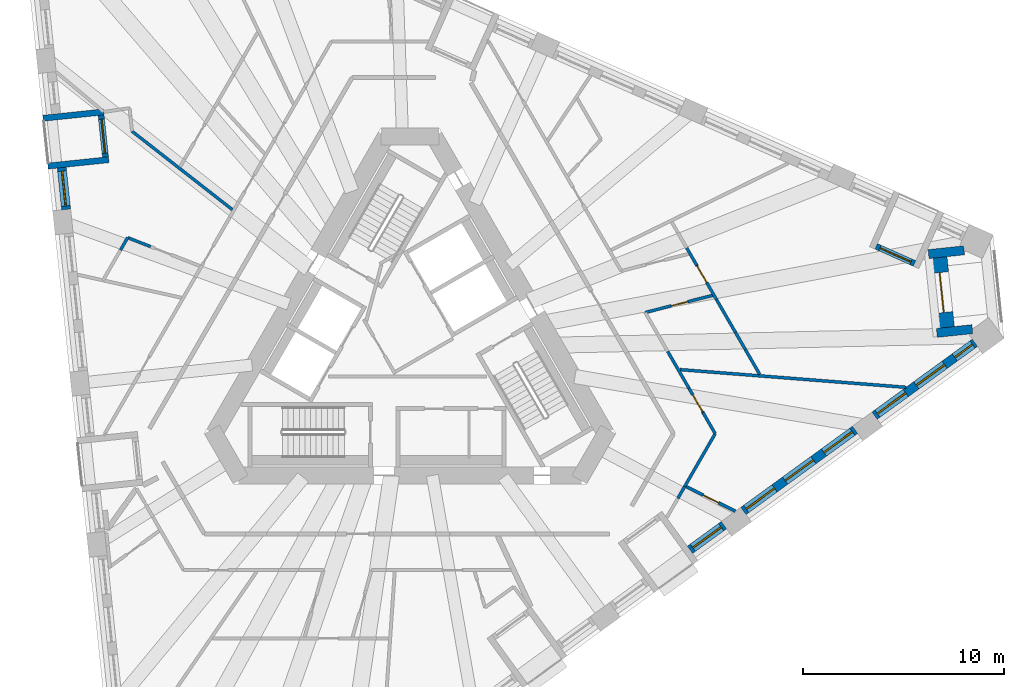
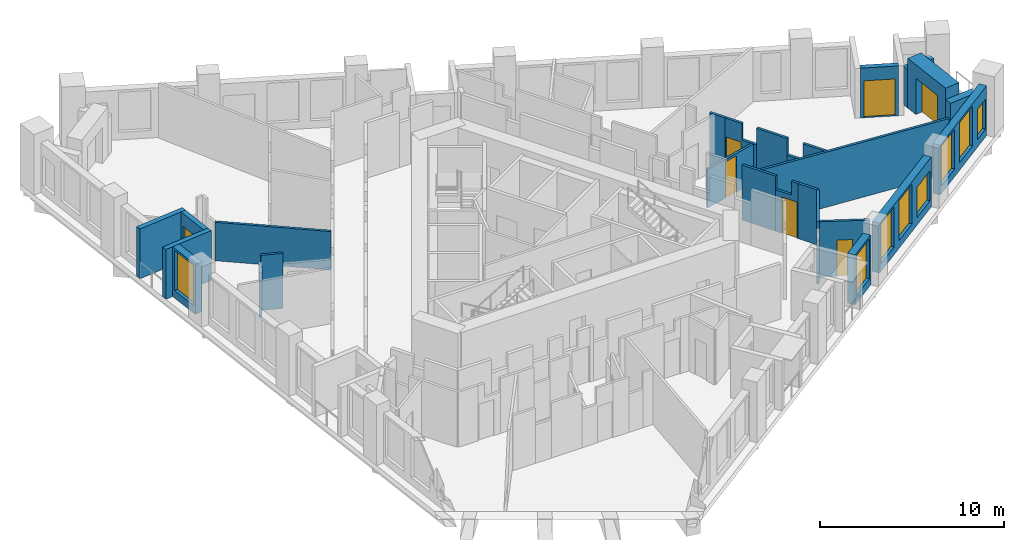
# One storey, part 6 of 14: 27 walls, 8 windows, 7 doors, 15 openings.
"""IFC4 building model written with IfcOpenShell, lengths in metres."""

import ifcopenshell
import ifcopenshell.guid

model = None  # the IFC model being written
_history = None  # IfcOwnerHistory: only IFC2X3 demands one
_inside = {}  # id of a spatial element -> (the spatial element, [elements in it])
_under = {}  # id of a project, library or spatial element -> (it, [spatial elements below it])
_declared = {}  # id of a project -> (the project, [libraries it declares])
_typed = {}  # id of a type object -> (the type object, [elements of that type])
_made_of = {}  # id of a material, layer set ... -> (it, [elements and type objects made of it])


def new_model(schema):
    """Start an empty IFC model of exactly this schema.

    Asked for "IFC4X3", IfcOpenShell would pick the latest addendum, in which some entities
    have other attributes; the version numbers below select the first issue.
    IFC2X3 requires an IfcOwnerHistory on every rooted entity: one is made here for all.
    """
    global model, _history
    if schema == "IFC4X3":
        model = ifcopenshell.file(schema_version=(4, 3, 0, 0))
    else:
        model = ifcopenshell.file(schema=schema)
    _inside.clear()
    _under.clear()
    _declared.clear()
    _typed.clear()
    _made_of.clear()
    _history = None
    if model.schema == "IFC2X3":
        org = make("IfcOrganization", Name="unknown")
        user = make(
            "IfcPersonAndOrganization",
            ThePerson=make("IfcPerson", FamilyName="unknown"),
            TheOrganization=org,
        )
        app = make(
            "IfcApplication",
            ApplicationDeveloper=org,
            Version="unknown",
            ApplicationFullName="unknown",
            ApplicationIdentifier="unknown",
        )
        _history = make(
            "IfcOwnerHistory",
            OwningUser=user,
            OwningApplication=app,
            ChangeAction="ADDED",
            CreationDate=0,
        )
    return model


def make(cls, **values):
    """One entity of the class cls with the attributes given. An attribute that is None is left unset."""
    return model.create_entity(
        cls, **{name: value for name, value in values.items() if value is not None}
    )


def rooted(cls, **values):
    """An entity with a GlobalId (a new one), such as an element, a storey or a relation."""
    return make(cls, GlobalId=ifcopenshell.guid.new(), OwnerHistory=_history, **values)


def si_unit(unit_type, name, prefix=None):
    """IfcSIUnit, for example si_unit("LENGTHUNIT", "METRE", prefix="MILLI")."""
    return make("IfcSIUnit", UnitType=unit_type, Prefix=prefix, Name=name)


def assignment(units):
    """IfcUnitAssignment: the units of a project."""
    return None if units is None else make("IfcUnitAssignment", Units=units)


def point(xyz):
    """IfcCartesianPoint."""
    return None if xyz is None else make("IfcCartesianPoint", Coordinates=xyz)


def direction(xyz):
    """IfcDirection."""
    return None if xyz is None else make("IfcDirection", DirectionRatios=xyz)


def frame(location, z_axis=None, x_axis=None):
    """IfcAxis2Placement3D, a coordinate frame: its origin and axes. An axis left out is left unset."""
    return make(
        "IfcAxis2Placement3D",
        Location=point(location),
        Axis=direction(z_axis),
        RefDirection=direction(x_axis),
    )


def frame_2d(location, x_axis=None):
    """IfcAxis2Placement2D, a coordinate frame in the plane: its origin and x axis."""
    return make(
        "IfcAxis2Placement2D", Location=point(location), RefDirection=direction(x_axis)
    )


def origin():
    """The frame at (0, 0, 0) with its axes left unset."""
    return frame((0.0, 0.0, 0.0))


def place(relative_to, where):
    """IfcLocalPlacement: puts the frame where relative to a parent placement (None: the world)."""
    return make(
        "IfcLocalPlacement", PlacementRelTo=relative_to, RelativePlacement=where
    )


def context(
    kind, dimensions, precision=None, world=None, true_north=None, identifier=None
):
    """IfcGeometricRepresentationContext, for example the 3D "Model" context."""
    return make(
        "IfcGeometricRepresentationContext",
        ContextIdentifier=identifier,
        ContextType=kind,
        CoordinateSpaceDimension=dimensions,
        Precision=precision,
        WorldCoordinateSystem=world,
        TrueNorth=true_north,
    )


def subcontext(parent, identifier, kind, view, scale=None):
    """IfcGeometricRepresentationSubContext, for example "Body" below "Model"."""
    return make(
        "IfcGeometricRepresentationSubContext",
        ContextIdentifier=identifier,
        ContextType=kind,
        ParentContext=parent,
        TargetScale=scale,
        TargetView=view,
    )


def project(units=None, contexts=None):
    """IfcProject with its units and contexts."""
    return rooted(
        "IfcProject",
        Name="project",
        RepresentationContexts=contexts,
        UnitsInContext=assignment(units),
    )


def spatial(cls, under=None, at=None, **own):
    """A site, building, storey or space (cls), placed at a placement, below another one or the project."""
    s = rooted(cls, ObjectPlacement=at, **own)
    if under is not None:
        _under.setdefault(under.id(), (under, []))[1].append(s)
    return s


def polyline(points):
    """IfcPolyline through the points."""
    return make("IfcPolyline", Points=[point(p) for p in points])


def profile(cls, at=None, kind="AREA", **sizes):
    """A parametric profile (cls). Its sizes go by their IFC names, for example OverallWidth=200.0."""
    return make(cls, ProfileType=kind, Position=at, **sizes)


def rectangle(**sizes):
    """IfcRectangleProfileDef."""
    return profile("IfcRectangleProfileDef", **sizes)


def outline(outer, holes=None, kind="AREA"):
    """IfcArbitraryClosedProfileDef: a profile drawn as a closed curve; with holes, ...WithVoids."""
    if holes is None:
        return make("IfcArbitraryClosedProfileDef", ProfileType=kind, OuterCurve=outer)
    return make(
        "IfcArbitraryProfileDefWithVoids",
        ProfileType=kind,
        OuterCurve=outer,
        InnerCurves=holes,
    )


def extrude(swept, where, along, depth):
    """IfcExtrudedAreaSolid: the profile swept, set in the frame where, extruded along a direction by depth."""
    return make(
        "IfcExtrudedAreaSolid",
        SweptArea=swept,
        Position=where,
        ExtrudedDirection=direction(along),
        Depth=depth,
    )


def shape(context_of_items, identifier, shape_type, items):
    """IfcShapeRepresentation: the items that make up one representation, for example the "Body"."""
    return make(
        "IfcShapeRepresentation",
        ContextOfItems=context_of_items,
        RepresentationIdentifier=identifier,
        RepresentationType=shape_type,
        Items=items,
    )


def material(Name=None, Category=None):
    """IfcMaterial."""
    return make("IfcMaterial", Name=Name, Category=Category)


def layer(
    of_material, thickness, ventilated=None, Name=None, Category=None, Priority=None
):
    """IfcMaterialLayer: one layer of a wall or slab, of a material (None: an air gap)."""
    return make(
        "IfcMaterialLayer",
        Material=of_material,
        LayerThickness=thickness,
        IsVentilated=ventilated,
        Name=Name,
        Category=Category,
        Priority=Priority,
    )


def layer_set(layers, Name=None):
    """IfcMaterialLayerSet."""
    return make("IfcMaterialLayerSet", MaterialLayers=layers, LayerSetName=Name)


def made_of(thing, what):
    """Note that an element or type object is made of a material, layer set ...; save() writes the relation."""
    if what is not None:
        _made_of.setdefault(what.id(), (what, []))[1].append(thing)
    return thing


def type_object(cls, material=None, **own):
    """A type object (cls), such as IfcWallType, which elements share."""
    return made_of(rooted(cls, **own), material)


def element(
    cls,
    number,
    at=None,
    inside=None,
    cuts=None,
    type_object=None,
    material=None,
    context=None,
    identifier="Body",
    shape_type=None,
    held_by="IfcProductDefinitionShape",
    body=None,
    shapes=None,
    **own,
):
    """One element of the class cls, such as IfcWall. Its Tag is "e" and its number.

    at: its placement. inside: the storey or other place that contains it. cuts: it is an
    opening in that element (IfcRelVoidsElement). A single representation is given by context,
    identifier, shape_type and body (its items); several are given by shapes. held_by: the class
    of the entity that holds the representations. save() writes the other relations.
    """
    e = rooted(cls, Tag="e%d" % number, ObjectPlacement=at, **own)
    if body is not None:
        shapes = [shape(context, identifier, shape_type, body)]
    if shapes is not None:
        e.Representation = make(held_by, Representations=shapes)
    if inside is not None:
        _inside.setdefault(inside.id(), (inside, []))[1].append(e)
    if cuts is not None:
        rooted(
            "IfcRelVoidsElement", RelatingBuildingElement=cuts, RelatedOpeningElement=e
        )
    if type_object is not None:
        _typed.setdefault(type_object.id(), (type_object, []))[1].append(e)
    return made_of(e, material)


def fill(opening, filler):
    """IfcRelFillsElement: the door or window that sits in an opening."""
    return rooted(
        "IfcRelFillsElement",
        RelatingOpeningElement=opening,
        RelatedBuildingElement=filler,
    )


def aggregate(whole, parts):
    """IfcRelAggregates: a whole, such as a stair, and the parts it consists of."""
    return rooted("IfcRelAggregates", RelatingObject=whole, RelatedObjects=parts)


def save(model, path):
    """Write the relations noted so far, then the file.

    IfcRelAggregates (storeys below a building ...), IfcRelContainedInSpatialStructure (elements
    in a storey), IfcRelDefinesByType, IfcRelAssociatesMaterial and IfcRelDeclares: one each for
    every whole, place, type object, material and project.
    """
    for whole, parts in _under.values():
        aggregate(whole, parts)
    for where, things in _inside.values():
        rooted(
            "IfcRelContainedInSpatialStructure",
            RelatedElements=things,
            RelatingStructure=where,
        )
    for kind, things in _typed.values():
        rooted("IfcRelDefinesByType", RelatedObjects=things, RelatingType=kind)
    for what, things in _made_of.values():
        rooted("IfcRelAssociatesMaterial", RelatedObjects=things, RelatingMaterial=what)
    for by, libraries in _declared.values():
        rooted("IfcRelDeclares", RelatingContext=by, RelatedDefinitions=libraries)
    model.write(path)


model = new_model("IFC4")

# Units and contexts
model_context = context("Model", 3, precision=1e-05, world=origin(), true_north=direction((0.0, 1.0)))
body_context = subcontext(model_context, "Body", "Model", "MODEL_VIEW")
ifc_project = project(units=[si_unit("LENGTHUNIT", "METRE"), si_unit("AREAUNIT", "SQUARE_METRE"), si_unit("VOLUMEUNIT", "CUBIC_METRE"), si_unit("PLANEANGLEUNIT", "RADIAN"), si_unit("MASSUNIT", "GRAM", prefix="KILO")], contexts=[model_context])

# Site, building, storey
site_placement = place(None, origin())
site = spatial("IfcSite", under=ifc_project, at=site_placement, CompositionType="ELEMENT")
building_placement = place(site_placement, origin())
building = spatial("IfcBuilding", under=site, at=building_placement, Name="Tramontana Tower", CompositionType="ELEMENT")
storey_placement = place(building_placement, frame((0.0, 0.0, 178.800048828125)))
storey = spatial("IfcBuildingStorey", under=building, at=storey_placement, Name="L41", CompositionType="ELEMENT", Elevation=178.800048828125)

# Wall, opening, window
ifc_material_1 = material(Name="Precast concrete 60 MPa", Category="concrete")
ifc_layer_1 = layer(ifc_material_1, 0.449951171875)
ifc_layer_set_1 = layer_set([ifc_layer_1], Name="Precast concrete 60 MPa, 450 mm")
wall_type_1 = type_object("IfcWallType", Name="EW1 Stone-faced precast wall 450", PredefinedType="SOLIDWALL", material=ifc_layer_set_1)
wall_1_placement = place(storey_placement, frame((-17.362060546875, 9.01171875, 0.0), z_axis=(0.0, 0.0, 1.0), x_axis=(0.104569484464, -0.994517583011, 0.0)))
wall_1 = element("IfcWall", 1, at=wall_1_placement, inside=storey, type_object=wall_type_1, Name="External wall L41 face 0 bay 2", PredefinedType="SOLIDWALL", context=body_context, shape_type="SweptSolid", body=[
    extrude(rectangle(XDim=2.09423828125, YDim=0.449951171875, at=frame_2d((1.047119140625, 0.0))), origin(), (0.0, 0.0, 1.0), 3.300048828125),
])
opening_1_placement = place(wall_1_placement, frame((0.172119140625, 0.0, 0.5)))
opening_1 = element("IfcOpeningElement", 2, at=opening_1_placement, cuts=wall_1, Name="Opening M2", PredefinedType="OPENING", context=body_context, shape_type="SweptSolid", body=[
    extrude(rectangle(XDim=1.75, YDim=2.64990234375, at=frame_2d((0.875, 1.324951171875))), frame((0.0, 0.23486328125, 0.0), z_axis=(0.0, -1.0, 0.0), x_axis=(1.0, 0.0, 0.0)), (0.0, 0.0, 1.0), 0.469970703125),
])
ifc_material_2 = material(Name="Aluminum frame, double glazing unit", Category="aluminium")
window_type_1 = type_object("IfcWindowType", Name="M2 Window 1.75 x 2.65", PartitioningType="SINGLE_PANEL", PredefinedType="WINDOW", material=ifc_material_2)
window_1_placement = place(opening_1_placement, origin())
window_1 = element("IfcWindow", 3, at=window_1_placement, inside=storey, type_object=window_type_1, Name="Window M2 L41 face 0 module 6", OverallHeight=2.64990234375, OverallWidth=1.75, PartitioningType="SINGLE_PANEL", PredefinedType="WINDOW", context=body_context, shape_type="SweptSolid", body=[
    extrude(rectangle(XDim=1.75, YDim=2.64990234375, at=frame_2d((0.875, 1.324951171875))), frame((0.0, 0.030029296875, 0.0), z_axis=(0.0, -1.0, 0.0), x_axis=(1.0, 0.0, 0.0)), (0.0, 0.0, 1.0), 0.06005859375),
])
fill(opening_1, window_1)

wall_2_placement = place(storey_placement, frame((13.955078125, -10.039794921875, 0.0), z_axis=(0.0, 0.0, 1.0), x_axis=(0.809028366311, 0.587769599847, 0.0)))
wall_2 = element("IfcWall", 4, at=wall_2_placement, inside=storey, type_object=wall_type_1, Name="External wall L41 face 1 bay 4", PredefinedType="SOLIDWALL", context=body_context, shape_type="SweptSolid", body=[
    extrude(rectangle(XDim=2.09423828125, YDim=0.449951171875, at=frame_2d((1.047119140625, 0.0))), origin(), (0.0, 0.0, 1.0), 3.300048828125),
])
opening_2_placement = place(wall_2_placement, frame((0.172119140625, 0.0, 0.5)))
opening_2 = element("IfcOpeningElement", 5, at=opening_2_placement, cuts=wall_2, Name="Opening M2", PredefinedType="OPENING", context=body_context, shape_type="SweptSolid", body=[
    extrude(rectangle(XDim=1.75, YDim=2.64990234375, at=frame_2d((0.875, 1.324951171875))), frame((0.0, 0.23486328125, 0.0), z_axis=(0.0, -1.0, 0.0), x_axis=(1.0, 0.0, 0.0)), (0.0, 0.0, 1.0), 0.469970703125),
])
window_2_placement = place(opening_2_placement, origin())
window_2 = element("IfcWindow", 6, at=window_2_placement, inside=storey, type_object=window_type_1, Name="Window M2 L41 face 1 module 12", OverallHeight=2.64990234375, OverallWidth=1.75, PartitioningType="SINGLE_PANEL", PredefinedType="WINDOW", context=body_context, shape_type="SweptSolid", body=[
    extrude(rectangle(XDim=1.75, YDim=2.64990234375, at=frame_2d((0.875, 1.324951171875))), frame((0.0, 0.030029296875, 0.0), z_axis=(0.0, -1.0, 0.0), x_axis=(1.0, 0.0, 0.0)), (0.0, 0.0, 1.0), 0.06005859375),
])
fill(opening_2, window_2)

# Wall, openings, windows
wall_3_placement = place(storey_placement, frame((16.6201171875, -8.103515625, 0.0), z_axis=(0.0, 0.0, 1.0), x_axis=(0.809016690404, 0.587785670672, 0.0)))
wall_3 = element("IfcWall", 7, at=wall_3_placement, inside=storey, type_object=wall_type_1, Name="External wall L41 face 1 bay 5", PredefinedType="SOLIDWALL", context=body_context, shape_type="SweptSolid", body=[
    extrude(rectangle(XDim=6.8828125, YDim=0.449951171875, at=frame_2d((3.44140625, 0.0))), origin(), (0.0, 0.0, 1.0), 3.300048828125),
])
opening_3_placement = place(wall_3_placement, frame((0.172119140625, 0.0, 0.5)))
opening_3 = element("IfcOpeningElement", 8, at=opening_3_placement, cuts=wall_3, Name="Opening M2", PredefinedType="OPENING", context=body_context, shape_type="SweptSolid", body=[
    extrude(rectangle(XDim=1.75, YDim=2.64990234375, at=frame_2d((0.875, 1.324951171875))), frame((0.0, 0.23486328125, 0.0), z_axis=(0.0, -1.0, 0.0), x_axis=(1.0, 0.0, 0.0)), (0.0, 0.0, 1.0), 0.469970703125),
])
opening_4_placement = place(wall_3_placement, frame((2.56640625, 0.0, 0.5)))
opening_4 = element("IfcOpeningElement", 9, at=opening_4_placement, cuts=wall_3, Name="Opening M2", PredefinedType="OPENING", context=body_context, shape_type="SweptSolid", body=[
    extrude(rectangle(XDim=1.75, YDim=2.64990234375, at=frame_2d((0.875, 1.324951171875))), frame((0.0, 0.23486328125, 0.0), z_axis=(0.0, -1.0, 0.0), x_axis=(1.0, 0.0, 0.0)), (0.0, 0.0, 1.0), 0.469970703125),
])
opening_5_placement = place(wall_3_placement, frame((4.960693359375, 0.0, 0.5)))
opening_5 = element("IfcOpeningElement", 10, at=opening_5_placement, cuts=wall_3, Name="Opening M2L", PredefinedType="OPENING", context=body_context, shape_type="SweptSolid", body=[
    extrude(rectangle(XDim=1.75, YDim=2.0, at=frame_2d((0.875, 1.0))), frame((0.0, 0.23486328125, 0.0), z_axis=(0.0, -1.0, 0.0), x_axis=(1.0, 0.0, 0.0)), (0.0, 0.0, 1.0), 0.469970703125),
])
window_3_placement = place(opening_3_placement, origin())
window_3 = element("IfcWindow", 11, at=window_3_placement, inside=storey, type_object=window_type_1, Name="Window M2 L41 face 1 module 13", OverallHeight=2.64990234375, OverallWidth=1.75, PartitioningType="SINGLE_PANEL", PredefinedType="WINDOW", context=body_context, shape_type="SweptSolid", body=[
    extrude(rectangle(XDim=1.75, YDim=2.64990234375, at=frame_2d((0.875, 1.324951171875))), frame((0.0, 0.030029296875, 0.0), z_axis=(0.0, -1.0, 0.0), x_axis=(1.0, 0.0, 0.0)), (0.0, 0.0, 1.0), 0.06005859375),
])
fill(opening_3, window_3)
window_4_placement = place(opening_4_placement, origin())
window_4 = element("IfcWindow", 12, at=window_4_placement, inside=storey, type_object=window_type_1, Name="Window M2 L41 face 1 module 14", OverallHeight=2.64990234375, OverallWidth=1.75, PartitioningType="SINGLE_PANEL", PredefinedType="WINDOW", context=body_context, shape_type="SweptSolid", body=[
    extrude(rectangle(XDim=1.75, YDim=2.64990234375, at=frame_2d((0.875, 1.324951171875))), frame((0.0, 0.030029296875, 0.0), z_axis=(0.0, -1.0, 0.0), x_axis=(1.0, 0.0, 0.0)), (0.0, 0.0, 1.0), 0.06005859375),
])
fill(opening_4, window_4)
ifc_material_3 = material(Name="Aluminum frame, double glazing unit", Category="aluminium")
window_type_2 = type_object("IfcWindowType", Name="M2L Window 1.75 x 2", PartitioningType="SINGLE_PANEL", PredefinedType="WINDOW", material=ifc_material_3)
window_5_placement = place(opening_5_placement, origin())
window_5 = element("IfcWindow", 13, at=window_5_placement, inside=storey, type_object=window_type_2, Name="Window M2L L41 face 1 module 15", OverallHeight=2.0, OverallWidth=1.75, PartitioningType="SINGLE_PANEL", PredefinedType="WINDOW", context=body_context, shape_type="SweptSolid", body=[
    extrude(rectangle(XDim=1.75, YDim=2.0, at=frame_2d((0.875, 1.0))), frame((0.0, 0.030029296875, 0.0), z_axis=(0.0, -1.0, 0.0), x_axis=(1.0, 0.0, 0.0)), (0.0, 0.0, 1.0), 0.06005859375),
])
fill(opening_5, window_5)

wall_4_placement = place(storey_placement, frame((23.159423828125, -3.3525390625, 0.0), z_axis=(0.0, 0.0, 1.0), x_axis=(0.809005790194, 0.587800673215, 0.0)))
wall_4 = element("IfcWall", 14, at=wall_4_placement, inside=storey, type_object=wall_type_1, Name="External wall L41 face 1 bay 6", PredefinedType="SOLIDWALL", context=body_context, shape_type="SweptSolid", body=[
    extrude(rectangle(XDim=6.182861328125, YDim=0.449951171875, at=frame_2d((3.09130859375, 0.0))), origin(), (0.0, 0.0, 1.0), 3.300048828125),
])
opening_6_placement = place(wall_4_placement, frame((0.172119140625, 0.0, 0.5)))
opening_6 = element("IfcOpeningElement", 15, at=opening_6_placement, cuts=wall_4, Name="Opening M2", PredefinedType="OPENING", context=body_context, shape_type="SweptSolid", body=[
    extrude(rectangle(XDim=1.75, YDim=2.64990234375, at=frame_2d((0.875, 1.324951171875))), frame((0.0, 0.23486328125, 0.0), z_axis=(0.0, -1.0, 0.0), x_axis=(1.0, 0.0, 0.0)), (0.0, 0.0, 1.0), 0.469970703125),
])
opening_7_placement = place(wall_4_placement, frame((2.56640625, 0.0, 0.5)))
opening_7 = element("IfcOpeningElement", 16, at=opening_7_placement, cuts=wall_4, Name="Opening M2", PredefinedType="OPENING", context=body_context, shape_type="SweptSolid", body=[
    extrude(rectangle(XDim=1.75, YDim=2.64990234375, at=frame_2d((0.875, 1.324951171875))), frame((0.0, 0.23486328125, 0.0), z_axis=(0.0, -1.0, 0.0), x_axis=(1.0, 0.0, 0.0)), (0.0, 0.0, 1.0), 0.469970703125),
])
opening_8_placement = place(wall_4_placement, frame((4.935791015625, 0.0, 0.5)))
opening_8 = element("IfcOpeningElement", 17, at=opening_8_placement, cuts=wall_4, Name="Opening N2L", PredefinedType="OPENING", context=body_context, shape_type="SweptSolid", body=[
    extrude(rectangle(XDim=1.10009765625, YDim=2.0, at=frame_2d((0.550048828125, 1.0))), frame((0.0, 0.23486328125, 0.0), z_axis=(0.0, -1.0, 0.0), x_axis=(1.0, 0.0, 0.0)), (0.0, 0.0, 1.0), 0.469970703125),
])
window_6_placement = place(opening_6_placement, origin())
window_6 = element("IfcWindow", 18, at=window_6_placement, inside=storey, type_object=window_type_1, Name="Window M2 L41 face 1 module 16", OverallHeight=2.64990234375, OverallWidth=1.75, PartitioningType="SINGLE_PANEL", PredefinedType="WINDOW", context=body_context, shape_type="SweptSolid", body=[
    extrude(rectangle(XDim=1.75, YDim=2.64990234375, at=frame_2d((0.875, 1.324951171875))), frame((0.0, 0.030029296875, 0.0), z_axis=(0.0, -1.0, 0.0), x_axis=(1.0, 0.0, 0.0)), (0.0, 0.0, 1.0), 0.06005859375),
])
fill(opening_6, window_6)
window_7_placement = place(opening_7_placement, origin())
window_7 = element("IfcWindow", 19, at=window_7_placement, inside=storey, type_object=window_type_1, Name="Window M2 L41 face 1 module 17", OverallHeight=2.64990234375, OverallWidth=1.75, PartitioningType="SINGLE_PANEL", PredefinedType="WINDOW", context=body_context, shape_type="SweptSolid", body=[
    extrude(rectangle(XDim=1.75, YDim=2.64990234375, at=frame_2d((0.875, 1.324951171875))), frame((0.0, 0.030029296875, 0.0), z_axis=(0.0, -1.0, 0.0), x_axis=(1.0, 0.0, 0.0)), (0.0, 0.0, 1.0), 0.06005859375),
])
fill(opening_7, window_7)
ifc_material_4 = material(Name="Aluminum frame, double glazing unit", Category="aluminium")
window_type_3 = type_object("IfcWindowType", Name="N2L Window 1.1 x 2", PartitioningType="SINGLE_PANEL", PredefinedType="WINDOW", material=ifc_material_4)
window_8_placement = place(opening_8_placement, origin())
window_8 = element("IfcWindow", 20, at=window_8_placement, inside=storey, type_object=window_type_3, Name="Window N2L L41 face 1 module 18", OverallHeight=2.0, OverallWidth=1.10009765625, PartitioningType="SINGLE_PANEL", PredefinedType="WINDOW", context=body_context, shape_type="SweptSolid", body=[
    extrude(rectangle(XDim=1.10009765625, YDim=2.0, at=frame_2d((0.550048828125, 1.0))), frame((0.0, 0.030029296875, 0.0), z_axis=(0.0, -1.0, 0.0), x_axis=(1.0, 0.0, 0.0)), (0.0, 0.0, 1.0), 0.06005859375),
])
fill(opening_8, window_8)

# Walls
wall_5_placement = place(storey_placement, frame((27.619384765625, 4.888916015625, 0.0), z_axis=(0.0, 0.0, 1.0), x_axis=(-0.994517477618, -0.104570486815, 0.0)))
element("IfcWall", 21, at=wall_5_placement, inside=storey, type_object=wall_type_1, Name="Corner loggia side wall L41 K42l", PredefinedType="SOLIDWALL", context=body_context, shape_type="SweptSolid", body=[
    extrude(rectangle(XDim=1.779052734375, YDim=0.449951171875, at=frame_2d((0.8896484375, 0.0))), origin(), (0.0, 0.0, 1.0), 2.550048828125),
])
wall_6_placement = place(storey_placement, frame((28.032470703125, 0.96044921875, 0.0), z_axis=(0.0, 0.0, 1.0), x_axis=(-0.994518977937, -0.104556217051, 0.0)))
element("IfcWall", 22, at=wall_6_placement, inside=storey, type_object=wall_type_1, Name="Corner loggia side wall L41 K42r", PredefinedType="SOLIDWALL", context=body_context, shape_type="SweptSolid", body=[
    extrude(rectangle(XDim=1.779296875, YDim=0.449951171875, at=frame_2d((0.8896484375, 0.0))), origin(), (0.0, 0.0, 1.0), 2.550048828125),
])

# Wall, opening, door
ifc_material_5 = material(Name="Precast concrete 60 MPa", Category="concrete")
ifc_layer_2 = layer(ifc_material_5, 0.89990234375)
ifc_layer_set_2 = layer_set([ifc_layer_2], Name="EW2 Stone-faced corner loggia wall 900")
wall_type_2 = type_object("IfcWallType", Name="EW2 Stone-faced corner loggia wall 900", PredefinedType="SOLIDWALL", material=ifc_layer_set_2)
wall_7_placement = place(storey_placement, frame((26.321044921875, 4.526123046875, 0.0), z_axis=(0.0, 0.0, 1.0), x_axis=(0.104557701916, -0.994518821828, 0.0)))
wall_7 = element("IfcWall", 23, at=wall_7_placement, inside=storey, type_object=wall_type_2, Name="Corner loggia wall L41 K42", PredefinedType="SOLIDWALL", context=body_context, shape_type="SweptSolid", body=[
    extrude(rectangle(XDim=3.500244140625, YDim=0.89990234375, at=frame_2d((1.75, 0.0))), origin(), (0.0, 0.0, 1.0), 3.300048828125),
])
opening_9_placement = place(wall_7_placement, frame((0.75, 0.0, 0.0)))
opening_9 = element("IfcOpeningElement", 24, at=opening_9_placement, cuts=wall_7, Name="Opening BD-42C", PredefinedType="OPENING", context=body_context, shape_type="SweptSolid", body=[
    extrude(rectangle(XDim=2.0, YDim=2.39990234375, at=frame_2d((1.0, 1.199951171875))), frame((0.0, 0.4599609375, 0.0), z_axis=(0.0, -1.0, 0.0), x_axis=(1.0, 0.0, 0.0)), (0.0, 0.0, 1.0), 0.919921875),
])
ifc_material_6 = material(Name="Aluminum frame, double glazing unit", Category="aluminium")
door_type_1 = type_object("IfcDoorType", Name="BC1 Sliding door 2 x 2.4", OperationType="SLIDING_TO_LEFT", PredefinedType="DOOR", material=ifc_material_6)
door_1_placement = place(opening_9_placement, origin())
door_1 = element("IfcDoor", 25, at=door_1_placement, inside=storey, type_object=door_type_1, Name="Corner loggia door L41 K42", OperationType="SLIDING_TO_LEFT", OverallHeight=2.39990234375, OverallWidth=2.0, PredefinedType="DOOR", context=body_context, shape_type="SweptSolid", body=[
    extrude(rectangle(XDim=2.0, YDim=2.39990234375, at=frame_2d((1.0, 1.199951171875))), frame((0.0, 0.02490234375, 0.0), z_axis=(0.0, -1.0, 0.0), x_axis=(1.0, 0.0, 0.0)), (0.0, 0.0, 1.0), 0.050048828125),
])
fill(opening_9, door_1)

ifc_material_7 = material(Name="Precast concrete 60 MPa", Category="concrete")
ifc_layer_3 = layer(ifc_material_7, 0.300048828125)
ifc_layer_set_3 = layer_set([ifc_layer_3], Name="LW1 Stone-faced loggia wall 300")
wall_type_3 = type_object("IfcWallType", Name="LW1 Stone-faced loggia wall 300", PredefinedType="SOLIDWALL", material=ifc_layer_set_3)
wall_8_placement = place(storey_placement, frame((-15.399658203125, 11.62548828125, 0.0), z_axis=(0.0, 0.0, 1.0), x_axis=(0.104569484464, -0.994517583011, 0.0)))
wall_8 = element("IfcWall", 26, at=wall_8_placement, inside=storey, type_object=wall_type_3, Name="Loggia wall L41 G4S0.4", PredefinedType="SOLIDWALL", context=body_context, shape_type="SweptSolid", body=[
    extrude(rectangle(XDim=2.09423828125, YDim=0.300048828125, at=frame_2d((1.047119140625, 0.0))), origin(), (0.0, 0.0, 1.0), 3.300048828125),
])
opening_10_placement = place(wall_8_placement, frame((0.197265625, 0.0, 0.0)))
opening_10 = element("IfcOpeningElement", 27, at=opening_10_placement, cuts=wall_8, Name="Opening BD-4S0-04", PredefinedType="OPENING", context=body_context, shape_type="SweptSolid", body=[
    extrude(rectangle(XDim=1.699951171875, YDim=2.449951171875, at=frame_2d((0.85009765625, 1.22509765625))), frame((0.0, 0.159912109375, 0.0), z_axis=(0.0, -1.0, 0.0), x_axis=(1.0, 0.0, 0.0)), (0.0, 0.0, 1.0), 0.320068359375),
])
ifc_material_8 = material(Name="Aluminum frame, double glazing unit", Category="aluminium")
door_type_2 = type_object("IfcDoorType", Name="BD2 Sliding door 1.7 x 2.45", OperationType="SLIDING_TO_LEFT", PredefinedType="DOOR", material=ifc_material_8)
door_2_placement = place(opening_10_placement, origin())
door_2 = element("IfcDoor", 28, at=door_2_placement, inside=storey, type_object=door_type_2, Name="Loggia door L41 G4S0.4", OperationType="SLIDING_TO_LEFT", OverallHeight=2.449951171875, OverallWidth=1.699951171875, PredefinedType="DOOR", context=body_context, shape_type="SweptSolid", body=[
    extrude(rectangle(XDim=1.699951171875, YDim=2.449951171875, at=frame_2d((0.85009765625, 1.22509765625))), frame((0.0, 0.02490234375, 0.0), z_axis=(0.0, -1.0, 0.0), x_axis=(1.0, 0.0, 0.0)), (0.0, 0.0, 1.0), 0.050048828125),
])
fill(opening_10, door_2)

# Walls
for number, where, z_axis, x_axis, name in (
    (29, (-18.29931640625, 11.471435546875, 0.0), (0.0, 0.0, 1.0), (0.994520355942, 0.104543108891, 0.0), "Loggia return L41 G4S0.4a"),
    (30, (-18.049072265625, 9.09033203125, 0.0), (0.0, 0.0, 1.0), (0.994520355942, 0.104543108891, 0.0), "Loggia return L41 G4S0.4b"),
):
    element("IfcWall", number, at=place(storey_placement, frame(where, z_axis=z_axis, x_axis=x_axis)), inside=storey, type_object=wall_type_3, Name=name, PredefinedType="SOLIDWALL", context=body_context, shape_type="SweptSolid", body=[
        extrude(rectangle(XDim=3.0498046875, YDim=0.300048828125, at=frame_2d((1.52490234375, 0.0))), origin(), (0.0, 0.0, 1.0), 3.300048828125),
    ])

# Wall, opening, door
wall_9_placement = place(storey_placement, frame((25.15185546875, 4.236083984375, 0.0), z_axis=(0.0, 0.0, 1.0), x_axis=(-0.913556597974, 0.40671162056, 0.0)))
wall_9 = element("IfcWall", 31, at=wall_9_placement, inside=storey, type_object=wall_type_3, Name="Loggia wall L41 G4S2.1", PredefinedType="SOLIDWALL", context=body_context, shape_type="SweptSolid", body=[
    extrude(rectangle(XDim=2.094482421875, YDim=0.300048828125, at=frame_2d((1.04736328125, 0.0))), origin(), (0.0, 0.0, 1.0), 3.300048828125),
])
opening_11_placement = place(wall_9_placement, frame((0.197265625, 0.0, 0.0)))
opening_11 = element("IfcOpeningElement", 32, at=opening_11_placement, cuts=wall_9, Name="Opening BD-4S2-01", PredefinedType="OPENING", context=body_context, shape_type="SweptSolid", body=[
    extrude(rectangle(XDim=1.699951171875, YDim=2.449951171875, at=frame_2d((0.85009765625, 1.22509765625))), frame((0.0, 0.159912109375, 0.0), z_axis=(0.0, -1.0, 0.0), x_axis=(1.0, 0.0, 0.0)), (0.0, 0.0, 1.0), 0.320068359375),
])
door_3_placement = place(opening_11_placement, origin())
door_3 = element("IfcDoor", 33, at=door_3_placement, inside=storey, type_object=door_type_2, Name="Loggia door L41 G4S2.1", OperationType="SLIDING_TO_LEFT", OverallHeight=2.449951171875, OverallWidth=1.699951171875, PredefinedType="DOOR", context=body_context, shape_type="SweptSolid", body=[
    extrude(rectangle(XDim=1.699951171875, YDim=2.449951171875, at=frame_2d((0.85009765625, 1.22509765625))), frame((0.0, 0.02490234375, 0.0), z_axis=(0.0, -1.0, 0.0), x_axis=(1.0, 0.0, 0.0)), (0.0, 0.0, 1.0), 0.050048828125),
])
fill(opening_11, door_3)

# Walls
ifc_material_9 = material(Name="Gypsum board partition")
ifc_layer_4 = layer(ifc_material_9, 0.14990234375)
ifc_layer_set_4 = layer_set([ifc_layer_4], Name="PARTITION 150")
wall_type_4 = type_object("IfcWallType", Name="PARTITION 150", PredefinedType="PARTITIONING", material=ifc_layer_set_4)
wall_10_placement = place(storey_placement, frame((-14.432373046875, 4.90234375, 0.0), z_axis=(0.0, 0.0, 1.0), x_axis=(0.500027542156, 0.866009501729, 0.0)))
element("IfcWall", 34, at=wall_10_placement, inside=storey, type_object=wall_type_4, Name="Wall v41-pw00-1", PredefinedType="PARTITIONING", context=body_context, shape_type="SweptSolid", body=[
    extrude(rectangle(XDim=0.7158203125, YDim=0.14990234375, at=frame_2d((0.35791015625, 0.0))), origin(), (0.0, 0.0, 1.0), 2.949951171875),
])
wall_11_placement = place(storey_placement, frame((-14.074462890625, 5.522216796875, 0.0), z_axis=(0.0, 0.0, 1.0), x_axis=(0.9308963575, -0.3652834127, 0.0)))
element("IfcWall", 35, at=wall_11_placement, inside=storey, type_object=wall_type_4, Name="Wall v41-pw08-0", PredefinedType="PARTITIONING", context=body_context, shape_type="SweptSolid", body=[
    extrude(rectangle(XDim=1.228515625, YDim=0.14990234375, at=frame_2d((0.6142578125, 0.0))), origin(), (0.0, 0.0, 1.0), 3.64990234375),
])
wall_12_placement = place(storey_placement, frame((-8.852783203125, 6.916748046875, 0.0), z_axis=(0.0, 0.0, 1.0), x_axis=(-0.788021459681, 0.61564777193, 0.0)))
element("IfcWall", 36, at=wall_12_placement, inside=storey, type_object=wall_type_4, Name="Wall v41-pw20-0", PredefinedType="PARTITIONING", context=body_context, shape_type="SweptSolid", body=[
    extrude(rectangle(XDim=6.350830078125, YDim=0.14990234375, at=frame_2d((3.17529296875, 0.0))), origin(), (0.0, 0.0, 1.0), 2.550048828125),
])
wall_13_placement = place(storey_placement, frame((12.845703125, -0.149658203125, 0.0), z_axis=(0.0, 0.0, 1.0), x_axis=(0.500073154421, -0.86598316394, 0.0)))
element("IfcWall", 37, at=wall_13_placement, inside=storey, type_object=wall_type_4, Name="Wall v41-pw43-2", PredefinedType="PARTITIONING", context=body_context, shape_type="SweptSolid", body=[
    extrude(rectangle(XDim=2.109130859375, YDim=0.14990234375, at=frame_2d((1.0546875, 0.0))), origin(), (0.0, 0.0, 1.0), 3.64990234375),
])

# Wall, opening, door
wall_14_placement = place(storey_placement, frame((13.900390625, -1.97607421875, 0.0), z_axis=(0.0, 0.0, 1.0), x_axis=(0.499918201355, -0.866072625104, 0.0)))
wall_14 = element("IfcWall", 38, at=wall_14_placement, inside=storey, type_object=wall_type_4, Name="Wall v41-pw43-3", PredefinedType="PARTITIONING", context=body_context, shape_type="SweptSolid", body=[
    extrude(outline(polyline([(0.0, 0.0), (1.403564453125, 0.0), (1.403564453125, 3.64990234375), (1.0068359375, 3.64990234375), (1.0068359375, 2.75), (0.0, 2.75), (0.0, 0.0)])), frame((0.0, 0.074951171875, 0.0), z_axis=(0.0, -1.0, 0.0), x_axis=(1.0, 0.0, 0.0)), (0.0, 0.0, 1.0), 0.14990234375),
])
opening_12_placement = place(wall_14_placement, frame((0.403564453125, 0.0, 0.0)))
opening_12 = element("IfcOpeningElement", 39, at=opening_12_placement, cuts=wall_14, Name="Opening B4B-18", PredefinedType="OPENING", context=body_context, shape_type="SweptSolid", body=[
    extrude(rectangle(XDim=0.949951171875, YDim=2.39990234375, at=frame_2d((0.47509765625, 1.199951171875))), frame((0.0, 0.0849609375, 0.0), z_axis=(0.0, -1.0, 0.0), x_axis=(1.0, 0.0, 0.0)), (0.0, 0.0, 1.0), 0.169921875),
])
ifc_material_10 = material(Name="Painted timber", Category="wood")
door_type_3 = type_object("IfcDoorType", Name="DOOR ROOM 950", OperationType="SINGLE_SWING_LEFT", PredefinedType="DOOR", material=ifc_material_10)
door_4_placement = place(opening_12_placement, origin())
door_4 = element("IfcDoor", 40, at=door_4_placement, inside=storey, type_object=door_type_3, Name="Door B4B-18", OperationType="SINGLE_SWING_RIGHT", OverallHeight=2.39990234375, OverallWidth=0.949951171875, PredefinedType="DOOR", context=body_context, shape_type="SweptSolid", body=[
    extrude(rectangle(XDim=0.949951171875, YDim=2.39990234375, at=frame_2d((0.47509765625, 1.199951171875))), frame((0.0, 0.02490234375, 0.0), z_axis=(0.0, -1.0, 0.0), x_axis=(1.0, 0.0, 0.0)), (0.0, 0.0, 1.0), 0.050048828125),
])
fill(opening_12, door_4)

# Walls
wall_15_placement = place(storey_placement, frame((14.60205078125, -3.191650390625, 0.0), z_axis=(0.0, 0.0, 1.0), x_axis=(0.500027955217, -0.866009263231, 0.0)))
element("IfcWall", 41, at=wall_15_placement, inside=storey, type_object=wall_type_4, Name="Wall v41-pw43-4", PredefinedType="PARTITIONING", context=body_context, shape_type="SweptSolid", body=[
    extrude(rectangle(XDim=1.22216796875, YDim=0.14990234375, at=frame_2d((0.611083984375, 0.0))), origin(), (0.0, 0.0, 1.0), 3.64990234375),
])
wall_16_placement = place(storey_placement, frame((13.792724609375, 5.010498046875, 0.0), z_axis=(0.0, 0.0, 1.0), x_axis=(0.499999078476, -0.866025935826, 0.0)))
element("IfcWall", 42, at=wall_16_placement, inside=storey, type_object=wall_type_4, Name="Wall v41-pw44-2", PredefinedType="PARTITIONING", context=body_context, shape_type="SweptSolid", body=[
    extrude(rectangle(XDim=0.9931640625, YDim=0.14990234375, at=frame_2d((0.49658203125, 0.0))), origin(), (0.0, 0.0, 1.0), 3.64990234375),
])

# Wall, opening, door
wall_17_placement = place(storey_placement, frame((14.289306640625, 4.150390625, 0.0), z_axis=(0.0, 0.0, 1.0), x_axis=(0.499926382705, -0.866067902578, 0.0)))
wall_17 = element("IfcWall", 43, at=wall_17_placement, inside=storey, type_object=wall_type_4, Name="Wall v41-pw44-3", PredefinedType="PARTITIONING", context=body_context, shape_type="SweptSolid", body=[
    extrude(outline(polyline([(0.0, 0.0), (1.968994140625, 0.0), (1.96923828125, 2.550048828125), (1.042236328125, 2.550048828125), (1.042236328125, 3.64990234375), (0.0, 3.64990234375), (0.0, 0.0)])), frame((0.0, 0.074951171875, 0.0), z_axis=(0.0, -1.0, 0.0), x_axis=(1.0, 0.0, 0.0)), (0.0, 0.0, 1.0), 0.14990234375),
])
opening_13_placement = place(wall_17_placement, frame((0.050048828125, 0.0, 0.0)))
opening_13 = element("IfcOpeningElement", 44, at=opening_13_placement, cuts=wall_17, Name="Opening B4B-17", PredefinedType="OPENING", context=body_context, shape_type="SweptSolid", body=[
    extrude(rectangle(XDim=0.949951171875, YDim=2.39990234375, at=frame_2d((0.47509765625, 1.199951171875))), frame((0.0, 0.0849609375, 0.0), z_axis=(0.0, -1.0, 0.0), x_axis=(1.0, 0.0, 0.0)), (0.0, 0.0, 1.0), 0.169921875),
])
door_5_placement = place(opening_13_placement, origin())
door_5 = element("IfcDoor", 45, at=door_5_placement, inside=storey, type_object=door_type_3, Name="Door B4B-17", OperationType="SINGLE_SWING_LEFT", OverallHeight=2.39990234375, OverallWidth=0.949951171875, PredefinedType="DOOR", context=body_context, shape_type="SweptSolid", body=[
    extrude(rectangle(XDim=0.949951171875, YDim=2.39990234375, at=frame_2d((0.47509765625, 1.199951171875))), frame((0.0, 0.02490234375, 0.0), z_axis=(0.0, -1.0, 0.0), x_axis=(1.0, 0.0, 0.0)), (0.0, 0.0, 1.0), 0.050048828125),
])
fill(opening_13, door_5)

# Walls
wall_18_placement = place(storey_placement, frame((15.273681640625, 2.445068359375, 0.0), z_axis=(0.0, 0.0, 1.0), x_axis=(0.499971120268, -0.866042076863, 0.0)))
element("IfcWall", 46, at=wall_18_placement, inside=storey, type_object=wall_type_4, Name="Wall v41-pw44-4", PredefinedType="PARTITIONING", context=body_context, shape_type="SweptSolid", body=[
    extrude(rectangle(XDim=1.89794921875, YDim=0.14990234375, at=frame_2d((0.948974609375, 0.0))), origin(), (0.0, 0.0, 1.0), 3.64990234375),
])
wall_19_placement = place(storey_placement, frame((16.22265625, 0.80126953125, 0.0), z_axis=(0.0, 0.0, 1.0), x_axis=(0.500138987177, -0.865945144628, 0.0)))
element("IfcWall", 47, at=wall_19_placement, inside=storey, type_object=wall_type_4, Name="Wall v41-pw44-5", PredefinedType="PARTITIONING", context=body_context, shape_type="SweptSolid", body=[
    extrude(rectangle(XDim=0.997802734375, YDim=0.14990234375, at=frame_2d((0.4990234375, 0.0))), origin(), (0.0, 0.0, 1.0), 2.550048828125),
])
wall_20_placement = place(storey_placement, frame((16.7216796875, -0.062744140625, 0.0), z_axis=(0.0, 0.0, 1.0), x_axis=(0.500059846627, -0.865990848561, 0.0)))
element("IfcWall", 48, at=wall_20_placement, inside=storey, type_object=wall_type_4, Name="Wall v41-pw44-6", PredefinedType="PARTITIONING", context=body_context, shape_type="SweptSolid", body=[
    extrude(rectangle(XDim=1.419677734375, YDim=0.14990234375, at=frame_2d((0.7099609375, 0.0))), origin(), (0.0, 0.0, 1.0), 3.64990234375),
])

# Wall, opening, door
wall_21_placement = place(storey_placement, frame((16.221435546875, -8.114990234375, 0.0), z_axis=(0.0, 0.0, 1.0), x_axis=(-0.894337926815, 0.447392079345, 0.0)))
wall_21 = element("IfcWall", 49, at=wall_21_placement, inside=storey, type_object=wall_type_4, Name="Wall v41-pw45", PredefinedType="PARTITIONING", context=body_context, shape_type="SweptSolid", body=[
    extrude(rectangle(XDim=2.735595703125, YDim=0.14990234375, at=frame_2d((1.36767578125, 0.0))), origin(), (0.0, 0.0, 1.0), 3.64990234375),
])
opening_14_placement = place(wall_21_placement, frame((0.94287109375, 0.0, 0.0)))
opening_14 = element("IfcOpeningElement", 50, at=opening_14_placement, cuts=wall_21, Name="Opening B4B-21", PredefinedType="OPENING", context=body_context, shape_type="SweptSolid", body=[
    extrude(rectangle(XDim=0.85009765625, YDim=2.39990234375, at=frame_2d((0.425048828125, 1.199951171875))), frame((0.0, 0.0849609375, 0.0), z_axis=(0.0, -1.0, 0.0), x_axis=(1.0, 0.0, 0.0)), (0.0, 0.0, 1.0), 0.169921875),
])
ifc_material_11 = material(Name="Painted timber", Category="wood")
door_type_4 = type_object("IfcDoorType", Name="DOOR BATH 850", OperationType="SINGLE_SWING_LEFT", PredefinedType="DOOR", material=ifc_material_11)
door_6_placement = place(opening_14_placement, origin())
door_6 = element("IfcDoor", 51, at=door_6_placement, inside=storey, type_object=door_type_4, Name="Door B4B-21", OperationType="SINGLE_SWING_LEFT", OverallHeight=2.39990234375, OverallWidth=0.85009765625, PredefinedType="DOOR", context=body_context, shape_type="SweptSolid", body=[
    extrude(rectangle(XDim=0.85009765625, YDim=2.39990234375, at=frame_2d((0.425048828125, 1.199951171875))), frame((0.0, 0.02490234375, 0.0), z_axis=(0.0, -1.0, 0.0), x_axis=(1.0, 0.0, 0.0)), (0.0, 0.0, 1.0), 0.050048828125),
])
fill(opening_14, door_6)

wall_22_placement = place(storey_placement, frame((15.146240234375, 2.65966796875, 0.0), z_axis=(0.0, 0.0, 1.0), x_axis=(-0.969239685198, -0.246118736867, 0.0)))
wall_22 = element("IfcWall", 52, at=wall_22_placement, inside=storey, type_object=wall_type_4, Name="Wall v41-pw46-0", PredefinedType="PARTITIONING", context=body_context, shape_type="SweptSolid", body=[
    extrude(rectangle(XDim=3.525390625, YDim=0.14990234375, at=frame_2d((1.7626953125, 0.0))), origin(), (0.0, 0.0, 1.0), 2.550048828125),
])
opening_15_placement = place(wall_22_placement, frame((1.337890625, 0.0, 0.0)))
opening_15 = element("IfcOpeningElement", 53, at=opening_15_placement, cuts=wall_22, Name="Opening B4B-16", PredefinedType="OPENING", context=body_context, shape_type="SweptSolid", body=[
    extrude(rectangle(XDim=0.85009765625, YDim=2.39990234375, at=frame_2d((0.425048828125, 1.199951171875))), frame((0.0, 0.0849609375, 0.0), z_axis=(0.0, -1.0, 0.0), x_axis=(1.0, 0.0, 0.0)), (0.0, 0.0, 1.0), 0.169921875),
])
door_7_placement = place(opening_15_placement, origin())
door_7 = element("IfcDoor", 54, at=door_7_placement, inside=storey, type_object=door_type_4, Name="Door B4B-16", OperationType="SINGLE_SWING_RIGHT", OverallHeight=2.39990234375, OverallWidth=0.85009765625, PredefinedType="DOOR", context=body_context, shape_type="SweptSolid", body=[
    extrude(rectangle(XDim=0.85009765625, YDim=2.39990234375, at=frame_2d((0.425048828125, 1.199951171875))), frame((0.0, 0.02490234375, 0.0), z_axis=(0.0, -1.0, 0.0), x_axis=(1.0, 0.0, 0.0)), (0.0, 0.0, 1.0), 0.050048828125),
])
fill(opening_15, door_7)

# Walls
wall_23_placement = place(storey_placement, frame((15.213134765625, -4.25, 0.0), z_axis=(0.0, 0.0, 1.0), x_axis=(-0.500018497585, -0.866014723935, 0.0)))
element("IfcWall", 55, at=wall_23_placement, inside=storey, type_object=wall_type_4, Name="Wall v41-pw47-0", PredefinedType="PARTITIONING", context=body_context, shape_type="SweptSolid", body=[
    extrude(rectangle(XDim=3.0458984375, YDim=0.14990234375, at=frame_2d((1.52294921875, 0.0))), origin(), (0.0, 0.0, 1.0), 3.64990234375),
])
wall_24_placement = place(storey_placement, frame((13.690185546875, -6.8876953125, 0.0), z_axis=(0.0, 0.0, 1.0), x_axis=(-0.499910196476, -0.866077245666, 0.0)))
element("IfcWall", 56, at=wall_24_placement, inside=storey, type_object=wall_type_4, Name="Wall v41-pw47-1", PredefinedType="PARTITIONING", context=body_context, shape_type="SweptSolid", body=[
    extrude(rectangle(XDim=0.67529296875, YDim=0.14990234375, at=frame_2d((0.337646484375, 0.0))), origin(), (0.0, 0.0, 1.0), 2.949951171875),
])
wall_25_placement = place(storey_placement, frame((24.721435546875, -1.939453125, 0.0), z_axis=(0.0, 0.0, 1.0), x_axis=(-0.996937056803, 0.078208086372, 0.0)))
element("IfcWall", 57, at=wall_25_placement, inside=storey, type_object=wall_type_4, Name="Wall v41-pw48", PredefinedType="PARTITIONING", context=body_context, shape_type="SweptSolid", body=[
    extrude(rectangle(XDim=11.300537109375, YDim=0.14990234375, at=frame_2d((5.650390625, 0.0))), origin(), (0.0, 0.0, 1.0), 3.64990234375),
])

save(model, "model.ifc")
